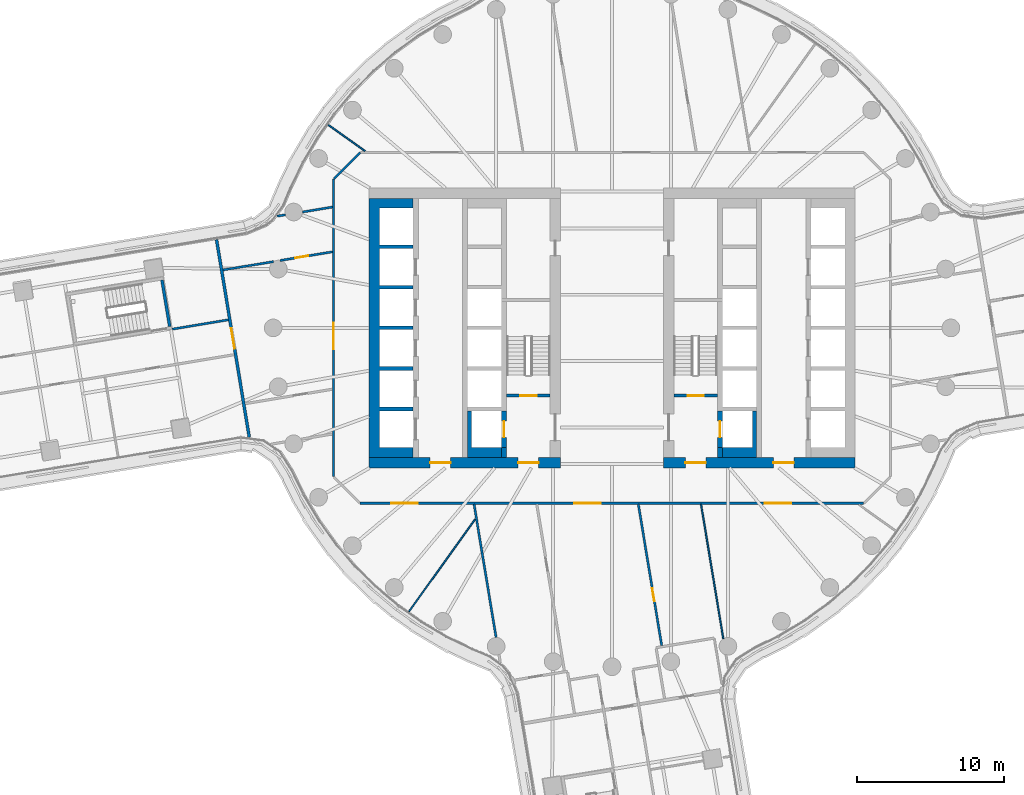
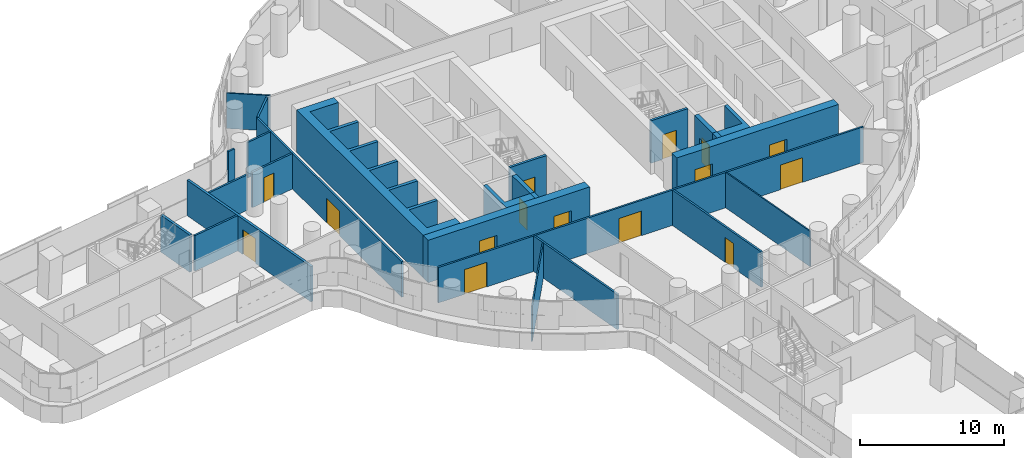
# One storey, part 21 of 32: 26 walls, 15 doors, 15 openings.
"""IFC4 building model written with IfcOpenShell, lengths in metres."""

from ifc_helpers import new_model, si_unit, direction, frame, frame_2d, origin, place, context, subcontext, project, spatial, polyline, rectangle, outline, extrude, material, layer, layer_set, type_object, element, fill, save


model = new_model("IFC4")

# Units and contexts
model_context = context("Model", 3, precision=1e-05, world=origin(), true_north=direction((0.0, 1.0)))
body_context = subcontext(model_context, "Body", "Model", "MODEL_VIEW")
ifc_project = project(units=[si_unit("LENGTHUNIT", "METRE"), si_unit("AREAUNIT", "SQUARE_METRE"), si_unit("VOLUMEUNIT", "CUBIC_METRE"), si_unit("PLANEANGLEUNIT", "RADIAN"), si_unit("MASSUNIT", "GRAM", prefix="KILO")], contexts=[model_context])

# Site, building, storey
site_placement = place(None, origin())
site = spatial("IfcSite", under=ifc_project, at=site_placement, CompositionType="ELEMENT")
building_placement = place(site_placement, origin())
building = spatial("IfcBuilding", under=site, at=building_placement, Name="Tamarind Cross Interchange Tower", CompositionType="ELEMENT")
storey_placement = place(building_placement, frame((0.0, 0.0, 67.75)))
storey = spatial("IfcBuildingStorey", under=building, at=storey_placement, Name="L15", CompositionType="ELEMENT", Elevation=67.75)

# Wall, openings, doors
ifc_material_1 = material(Name="Concrete C80", Category="concrete")
ifc_layer_1 = layer(ifc_material_1, 0.699951171875)
ifc_layer_set_1 = layer_set([ifc_layer_1], Name="Concrete C80")
wall_type_1 = type_object("IfcWallType", Name="Core wall 700 mm Concrete C80", PredefinedType="SHEAR", material=ifc_layer_set_1)
wall_1_placement = place(storey_placement, frame((-16.5, -9.14990234375, 0.0), z_axis=(0.0, 0.0, 1.0), x_axis=(1.0, 0.0, 0.0)))
wall_1 = element("IfcWall", 1, at=wall_1_placement, inside=storey, type_object=wall_type_1, Name="Core wall CWL-L15-W-S", PredefinedType="SHEAR", context=body_context, shape_type="SweptSolid", body=[
    extrude(rectangle(XDim=13.0, YDim=0.699951171875, at=frame_2d((6.5, 0.0))), origin(), (0.0, 0.0, 1.0), 3.610107421875),
])
opening_1_placement = place(wall_1_placement, frame((4.14990234375, 0.0, 0.0)))
opening_1 = element("IfcOpeningElement", 2, at=opening_1_placement, cuts=wall_1, Name="Opening DCW1", PredefinedType="OPENING", context=body_context, shape_type="SweptSolid", body=[
    extrude(rectangle(XDim=1.39990234375, YDim=2.10009765625, at=frame_2d((0.699951171875, 1.050048828125))), frame((0.0, 0.35986328125, 0.0), z_axis=(0.0, -1.0, 0.0), x_axis=(1.0, 0.0, 0.0)), (0.0, 0.0, 1.0), 0.719970703125),
])
opening_2_placement = place(wall_1_placement, frame((10.125, 0.0, 0.0)))
opening_2 = element("IfcOpeningElement", 3, at=opening_2_placement, cuts=wall_1, Name="Opening DCWF", PredefinedType="OPENING", context=body_context, shape_type="SweptSolid", body=[
    extrude(rectangle(XDim=1.39990234375, YDim=2.10009765625, at=frame_2d((0.699951171875, 1.050048828125))), frame((0.0, 0.35986328125, 0.0), z_axis=(0.0, -1.0, 0.0), x_axis=(1.0, 0.0, 0.0)), (0.0, 0.0, 1.0), 0.719970703125),
])
ifc_material_2 = material(Name="Steel, fire-resisting", Category="steel")
door_type_1 = type_object("IfcDoorType", Name="Core fire door 1400 x 2100 FD90", OperationType="SINGLE_SWING_LEFT", PredefinedType="DOOR", material=ifc_material_2)
door_1_placement = place(opening_1_placement, origin())
door_1 = element("IfcDoor", 4, at=door_1_placement, inside=storey, type_object=door_type_1, Name="L15 lift lobby door", OperationType="SINGLE_SWING_LEFT", OverallHeight=2.10009765625, OverallWidth=1.39990234375, PredefinedType="DOOR", context=body_context, shape_type="SweptSolid", body=[
    extrude(rectangle(XDim=1.39990234375, YDim=2.10009765625, at=frame_2d((0.699951171875, 1.050048828125))), frame((0.0, 0.02490234375, 0.0), z_axis=(0.0, -1.0, 0.0), x_axis=(1.0, 0.0, 0.0)), (0.0, 0.0, 1.0), 0.050048828125),
])
fill(opening_1, door_1)
door_2_placement = place(opening_2_placement, origin())
door_2 = element("IfcDoor", 5, at=door_2_placement, inside=storey, type_object=door_type_1, Name="L15 firefighting lobby end door", OperationType="SINGLE_SWING_LEFT", OverallHeight=2.10009765625, OverallWidth=1.39990234375, PredefinedType="DOOR", context=body_context, shape_type="SweptSolid", body=[
    extrude(rectangle(XDim=1.39990234375, YDim=2.10009765625, at=frame_2d((0.699951171875, 1.050048828125))), frame((0.0, 0.02490234375, 0.0), z_axis=(0.0, -1.0, 0.0), x_axis=(1.0, 0.0, 0.0)), (0.0, 0.0, 1.0), 0.050048828125),
])
fill(opening_2, door_2)

# Wall
wall_2_placement = place(storey_placement, origin())
element("IfcWall", 6, at=wall_2_placement, inside=storey, type_object=wall_type_1, Name="Core wall CWL-L15-W-A", PredefinedType="SHEAR", context=body_context, shape_type="SweptSolid", body=[
    extrude(outline(polyline([(-13.5, -8.800048828125), (-13.5, -8.125), (-15.800048828125, -8.125), (-15.800048828125, -5.625), (-13.5, -5.625), (-13.5, -5.375), (-15.800048828125, -5.375), (-15.800048828125, -2.875), (-13.5, -2.875), (-13.5, -2.625), (-15.800048828125, -2.625), (-15.800048828125, -0.125), (-13.5, -0.125), (-13.5, 0.125), (-15.800048828125, 0.125), (-15.800048828125, 2.625), (-13.5, 2.625), (-13.5, 2.875), (-15.800048828125, 2.875), (-15.800048828125, 5.375), (-13.5, 5.375), (-13.5, 5.625), (-15.800048828125, 5.625), (-15.800048828125, 8.125), (-13.5, 8.125), (-13.5, 8.800048828125), (-15.800048828125, 8.800048828125), (-16.5, 8.800048828125), (-16.5, -8.800048828125), (-15.800048828125, -8.800048828125), (-13.5, -8.800048828125)])), origin(), (0.0, 0.0, 1.0), 3.610107421875),
])

# Wall, openings, doors
wall_3_placement = place(storey_placement, frame((16.5, -9.14990234375, 0.0), z_axis=(0.0, 0.0, 1.0), x_axis=(-1.0, 0.0, 0.0)))
wall_3 = element("IfcWall", 7, at=wall_3_placement, inside=storey, type_object=wall_type_1, Name="Core wall CWL-L15-E-S", PredefinedType="SHEAR", context=body_context, shape_type="SweptSolid", body=[
    extrude(rectangle(XDim=13.0, YDim=0.699951171875, at=frame_2d((6.5, 0.0))), origin(), (0.0, 0.0, 1.0), 3.610107421875),
])
opening_3_placement = place(wall_3_placement, frame((4.14990234375, 0.0, 0.0)))
opening_3 = element("IfcOpeningElement", 8, at=opening_3_placement, cuts=wall_3, Name="Opening DCE1", PredefinedType="OPENING", context=body_context, shape_type="SweptSolid", body=[
    extrude(rectangle(XDim=1.39990234375, YDim=2.10009765625, at=frame_2d((0.699951171875, 1.050048828125))), frame((0.0, 0.35986328125, 0.0), z_axis=(0.0, -1.0, 0.0), x_axis=(1.0, 0.0, 0.0)), (0.0, 0.0, 1.0), 0.719970703125),
])
opening_4_placement = place(wall_3_placement, frame((10.125, 0.0, 0.0)))
opening_4 = element("IfcOpeningElement", 9, at=opening_4_placement, cuts=wall_3, Name="Opening DCEF", PredefinedType="OPENING", context=body_context, shape_type="SweptSolid", body=[
    extrude(rectangle(XDim=1.39990234375, YDim=2.10009765625, at=frame_2d((0.699951171875, 1.050048828125))), frame((0.0, 0.35986328125, 0.0), z_axis=(0.0, -1.0, 0.0), x_axis=(1.0, 0.0, 0.0)), (0.0, 0.0, 1.0), 0.719970703125),
])
door_3_placement = place(opening_3_placement, origin())
door_3 = element("IfcDoor", 10, at=door_3_placement, inside=storey, type_object=door_type_1, Name="L15 lift lobby door", OperationType="SINGLE_SWING_LEFT", OverallHeight=2.10009765625, OverallWidth=1.39990234375, PredefinedType="DOOR", context=body_context, shape_type="SweptSolid", body=[
    extrude(rectangle(XDim=1.39990234375, YDim=2.10009765625, at=frame_2d((0.699951171875, 1.050048828125))), frame((0.0, 0.02490234375, 0.0), z_axis=(0.0, -1.0, 0.0), x_axis=(1.0, 0.0, 0.0)), (0.0, 0.0, 1.0), 0.050048828125),
])
fill(opening_3, door_3)
door_4_placement = place(opening_4_placement, origin())
door_4 = element("IfcDoor", 11, at=door_4_placement, inside=storey, type_object=door_type_1, Name="L15 firefighting lobby end door", OperationType="SINGLE_SWING_LEFT", OverallHeight=2.10009765625, OverallWidth=1.39990234375, PredefinedType="DOOR", context=body_context, shape_type="SweptSolid", body=[
    extrude(rectangle(XDim=1.39990234375, YDim=2.10009765625, at=frame_2d((0.699951171875, 1.050048828125))), frame((0.0, 0.02490234375, 0.0), z_axis=(0.0, -1.0, 0.0), x_axis=(1.0, 0.0, 0.0)), (0.0, 0.0, 1.0), 0.050048828125),
])
fill(opening_4, door_4)

# Walls
ifc_layer_2 = layer(ifc_material_1, 0.35009765625)
ifc_layer_set_2 = layer_set([ifc_layer_2], Name="Concrete C80")
wall_type_2 = type_object("IfcWallType", Name="Core web wall 350 mm Concrete C80", PredefinedType="SHEAR", material=ifc_layer_set_2)
wall_4_placement = place(storey_placement, origin())
element("IfcWall", 12, at=wall_4_placement, inside=storey, type_object=wall_type_2, Name="Core wall CWL-L15-W-BS", PredefinedType="SHEAR", context=body_context, shape_type="SweptSolid", body=[
    extrude(outline(polyline([(-7.5, -8.125), (-9.550048828125, -8.125), (-9.550048828125, -5.625), (-9.800048828125, -5.625), (-9.800048828125, -8.125), (-9.800048828125, -8.800048828125), (-7.5, -8.800048828125), (-7.5, -8.125)])), origin(), (0.0, 0.0, 1.0), 3.610107421875),
])
wall_5_placement = place(storey_placement, frame((-7.324951171875, -8.800048828125, 0.0), z_axis=(0.0, 0.0, 1.0), x_axis=(0.0, 1.0, 0.0)))
element("IfcWall", 13, at=wall_5_placement, inside=storey, type_object=wall_type_2, Name="Core wall CWL-L15-W-BW", PredefinedType="SHEAR", context=body_context, shape_type="SweptSolid", body=[
    extrude(rectangle(XDim=0.675048828125, YDim=0.35009765625, at=frame_2d((0.33740234375, 0.0))), origin(), (0.0, 0.0, 1.0), 3.610107421875),
])

# Wall, opening, door
wall_6_placement = place(storey_placement, frame((-7.324951171875, -8.125, 0.0), z_axis=(0.0, 0.0, 1.0), x_axis=(0.0, 1.0, 0.0)))
wall_6 = element("IfcWall", 14, at=wall_6_placement, inside=storey, type_object=wall_type_2, Name="Core wall CWL-L15-W-FF", PredefinedType="SHEAR", context=body_context, shape_type="SweptSolid", body=[
    extrude(rectangle(XDim=2.5, YDim=0.35009765625, at=frame_2d((1.25, 0.0))), origin(), (0.0, 0.0, 1.0), 3.610107421875),
])
opening_5_placement = place(wall_6_placement, frame((0.699951171875, 0.0, 0.0)))
opening_5 = element("IfcOpeningElement", 15, at=opening_5_placement, cuts=wall_6, Name="Opening LD7L15", PredefinedType="OPENING", context=body_context, shape_type="SweptSolid", body=[
    extrude(rectangle(XDim=1.10009765625, YDim=2.10009765625, at=frame_2d((0.550048828125, 1.050048828125))), frame((0.0, 0.18505859375, 0.0), z_axis=(0.0, -1.0, 0.0), x_axis=(1.0, 0.0, 0.0)), (0.0, 0.0, 1.0), 0.3701171875),
])
ifc_material_3 = material(Name="Stainless steel panel", Category="steel")
door_type_2 = type_object("IfcDoorType", Name="Lift landing door 1100 x 2100 E 120", OperationType="SLIDING_TO_LEFT", PredefinedType="DOOR", material=ifc_material_3)
door_5_placement = place(opening_5_placement, origin())
door_5 = element("IfcDoor", 16, at=door_5_placement, inside=storey, type_object=door_type_2, Name="L15 landing door LF7", OperationType="SLIDING_TO_LEFT", OverallHeight=2.10009765625, OverallWidth=1.10009765625, PredefinedType="DOOR", context=body_context, shape_type="SweptSolid", body=[
    extrude(rectangle(XDim=1.10009765625, YDim=2.10009765625, at=frame_2d((0.550048828125, 1.050048828125))), frame((0.0, 0.02490234375, 0.0), z_axis=(0.0, -1.0, 0.0), x_axis=(1.0, 0.0, 0.0)), (0.0, 0.0, 1.0), 0.050048828125),
])
fill(opening_5, door_5)

# Walls
wall_7_placement = place(storey_placement, origin())
element("IfcWall", 17, at=wall_7_placement, inside=storey, type_object=wall_type_2, Name="Core wall CWL-L15-E-BS", PredefinedType="SHEAR", context=body_context, shape_type="SweptSolid", body=[
    extrude(outline(polyline([(7.5, -8.125), (7.5, -8.800048828125), (9.800048828125, -8.800048828125), (9.800048828125, -8.125), (9.800048828125, -5.625), (9.550048828125, -5.625), (9.550048828125, -8.125), (7.5, -8.125)])), origin(), (0.0, 0.0, 1.0), 3.610107421875),
])
wall_8_placement = place(storey_placement, frame((7.324951171875, -8.800048828125, 0.0), z_axis=(0.0, 0.0, 1.0), x_axis=(0.0, 1.0, 0.0)))
element("IfcWall", 18, at=wall_8_placement, inside=storey, type_object=wall_type_2, Name="Core wall CWL-L15-E-BW", PredefinedType="SHEAR", context=body_context, shape_type="SweptSolid", body=[
    extrude(rectangle(XDim=0.675048828125, YDim=0.35009765625, at=frame_2d((0.33740234375, 0.0))), origin(), (0.0, 0.0, 1.0), 3.610107421875),
])

# Wall, opening, door
wall_9_placement = place(storey_placement, frame((7.324951171875, -8.125, 0.0), z_axis=(0.0, 0.0, 1.0), x_axis=(0.0, 1.0, 0.0)))
wall_9 = element("IfcWall", 19, at=wall_9_placement, inside=storey, type_object=wall_type_2, Name="Core wall CWL-L15-E-FF", PredefinedType="SHEAR", context=body_context, shape_type="SweptSolid", body=[
    extrude(rectangle(XDim=2.5, YDim=0.35009765625, at=frame_2d((1.25, 0.0))), origin(), (0.0, 0.0, 1.0), 3.610107421875),
])
opening_6_placement = place(wall_9_placement, frame((0.699951171875, 0.0, 0.0)))
opening_6 = element("IfcOpeningElement", 20, at=opening_6_placement, cuts=wall_9, Name="Opening LD19L15", PredefinedType="OPENING", context=body_context, shape_type="SweptSolid", body=[
    extrude(rectangle(XDim=1.10009765625, YDim=2.10009765625, at=frame_2d((0.550048828125, 1.050048828125))), frame((0.0, 0.18505859375, 0.0), z_axis=(0.0, -1.0, 0.0), x_axis=(1.0, 0.0, 0.0)), (0.0, 0.0, 1.0), 0.3701171875),
])
door_6_placement = place(opening_6_placement, origin())
door_6 = element("IfcDoor", 21, at=door_6_placement, inside=storey, type_object=door_type_2, Name="L15 landing door LF19", OperationType="SLIDING_TO_LEFT", OverallHeight=2.10009765625, OverallWidth=1.10009765625, PredefinedType="DOOR", context=body_context, shape_type="SweptSolid", body=[
    extrude(rectangle(XDim=1.10009765625, YDim=2.10009765625, at=frame_2d((0.550048828125, 1.050048828125))), frame((0.0, 0.02490234375, 0.0), z_axis=(0.0, -1.0, 0.0), x_axis=(1.0, 0.0, 0.0)), (0.0, 0.0, 1.0), 0.050048828125),
])
fill(opening_6, door_6)

# Walls
ifc_material_4 = material(Name="Gypsum board partition on steel studs", Category="steel")
ifc_layer_3 = layer(ifc_material_4, 0.10009765625)
ifc_layer_set_3 = layer_set([ifc_layer_3], Name="Gypsum board partition on steel studs")
wall_type_3 = type_object("IfcWallType", Name="Partition 100 mm EI 120", PredefinedType="PARTITIONING", material=ifc_layer_set_3)
wall_10_placement = place(storey_placement, frame((-19.2509765625, 13.7802734375, 0.0), z_axis=(0.0, 0.0, 1.0), x_axis=(0.813162657911, -0.582036503821, 0.0)))
element("IfcWall", 22, at=wall_10_placement, inside=storey, type_object=wall_type_3, Name="Partition L15-033", PredefinedType="PARTITIONING", context=body_context, shape_type="SweptSolid", body=[
    extrude(rectangle(XDim=3.0654296875, YDim=0.10009765625, at=frame_2d((1.53271484375, 0.0))), origin(), (0.0, 0.0, 1.0), 3.010009765625),
])
ifc_layer_4 = layer(ifc_material_4, 0.10009765625)
ifc_layer_set_4 = layer_set([ifc_layer_4], Name="Gypsum board partition on steel studs")
wall_type_4 = type_object("IfcWallType", Name="Partition 100 mm EI 90", PredefinedType="PARTITIONING", material=ifc_layer_set_4)
wall_11_placement = place(storey_placement, frame((6.04150390625, -11.964111328125, 0.0), z_axis=(0.0, 0.0, 1.0), x_axis=(0.163346366562, -0.986568783477, 0.0)))
element("IfcWall", 23, at=wall_11_placement, inside=storey, type_object=wall_type_4, Name="Partition L15-021", PredefinedType="PARTITIONING", context=body_context, shape_type="SweptSolid", body=[
    extrude(rectangle(XDim=9.253173828125, YDim=0.10009765625, at=frame_2d((4.62646484375, 0.0))), origin(), (0.0, 0.0, 1.0), 3.010009765625),
])
wall_12_placement = place(storey_placement, frame((-13.7802734375, -19.2509765625, 0.0), z_axis=(0.0, 0.0, 1.0), x_axis=(0.582043843028, 0.813157404685, 0.0)))
element("IfcWall", 24, at=wall_12_placement, inside=storey, type_object=wall_type_4, Name="Partition L15-073", PredefinedType="PARTITIONING", context=body_context, shape_type="SweptSolid", body=[
    extrude(rectangle(XDim=7.708251953125, YDim=0.10009765625, at=frame_2d((3.85400390625, 0.0))), origin(), (0.0, 0.0, 1.0), 3.010009765625),
])
ifc_layer_5 = layer(ifc_material_4, 0.14990234375)
ifc_layer_set_5 = layer_set([ifc_layer_5], Name="Gypsum board partition on steel studs")
wall_type_5 = type_object("IfcWallType", Name="Partition 150 mm EI 120", PredefinedType="PARTITIONING", material=ifc_layer_set_5)
wall_13_placement = place(storey_placement, frame((-9.364501953125, -11.968994140625, 0.0), z_axis=(0.0, 0.0, 1.0), x_axis=(0.163235943674, -0.986587059865, 0.0)))
element("IfcWall", 25, at=wall_13_placement, inside=storey, type_object=wall_type_5, Name="Partition L15-004", PredefinedType="PARTITIONING", context=body_context, shape_type="SweptSolid", body=[
    extrude(rectangle(XDim=9.15771484375, YDim=0.14990234375, at=frame_2d((4.578857421875, 0.0))), origin(), (0.0, 0.0, 1.0), 3.010009765625),
])

# Wall, opening, door
wall_14_placement = place(storey_placement, frame((1.785400390625, -11.968994140625, 0.0), z_axis=(0.0, 0.0, 1.0), x_axis=(0.163336319011, -0.986570446999, 0.0)))
wall_14 = element("IfcWall", 26, at=wall_14_placement, inside=storey, type_object=wall_type_5, Name="Partition L15-017", PredefinedType="PARTITIONING", context=body_context, shape_type="SweptSolid", body=[
    extrude(rectangle(XDim=9.724609375, YDim=0.14990234375, at=frame_2d((4.8623046875, 0.0))), origin(), (0.0, 0.0, 1.0), 3.010009765625),
])
opening_7_placement = place(wall_14_placement, frame((5.780029296875, 0.0, 0.0)))
opening_7 = element("IfcOpeningElement", 27, at=opening_7_placement, cuts=wall_14, Name="Opening D13", PredefinedType="OPENING", context=body_context, shape_type="SweptSolid", body=[
    extrude(rectangle(XDim=0.89990234375, YDim=2.10009765625, at=frame_2d((0.449951171875, 1.050048828125))), frame((0.0, 0.0849609375, 0.0), z_axis=(0.0, -1.0, 0.0), x_axis=(1.0, 0.0, 0.0)), (0.0, 0.0, 1.0), 0.169921875),
])
ifc_material_5 = material(Name="Fire-resisting door set")
door_type_3 = type_object("IfcDoorType", Name="Interior door 900 x 2100 FD60S", OperationType="SINGLE_SWING_LEFT", PredefinedType="DOOR", material=ifc_material_5)
door_7_placement = place(opening_7_placement, origin())
door_7 = element("IfcDoor", 28, at=door_7_placement, inside=storey, type_object=door_type_3, Name="Door D13", OperationType="SINGLE_SWING_LEFT", OverallHeight=2.10009765625, OverallWidth=0.89990234375, PredefinedType="DOOR", context=body_context, shape_type="SweptSolid", body=[
    extrude(rectangle(XDim=0.89990234375, YDim=2.10009765625, at=frame_2d((0.449951171875, 1.050048828125))), frame((0.0, 0.02490234375, 0.0), z_axis=(0.0, -1.0, 0.0), x_axis=(1.0, 0.0, 0.0)), (0.0, 0.0, 1.0), 0.050048828125),
])
fill(opening_7, door_7)

# Wall, openings, doors
wall_15_placement = place(storey_placement, frame((-17.10009765625, -11.89990234375, 0.0), z_axis=(0.0, 0.0, 1.0), x_axis=(1.0, 0.0, 0.0)))
wall_15 = element("IfcWall", 29, at=wall_15_placement, inside=storey, type_object=wall_type_5, Name="Partition L15-035", PredefinedType="PARTITIONING", context=body_context, shape_type="SweptSolid", body=[
    extrude(rectangle(XDim=34.1650390625, YDim=0.14990234375, at=frame_2d((17.08251953125, 0.0))), origin(), (0.0, 0.0, 1.0), 3.010009765625),
])
opening_8_placement = place(wall_15_placement, frame((14.531005859375, 0.0, 0.0)))
opening_8 = element("IfcOpeningElement", 30, at=opening_8_placement, cuts=wall_15, Name="Opening D17", PredefinedType="OPENING", context=body_context, shape_type="SweptSolid", body=[
    extrude(rectangle(XDim=1.800048828125, YDim=2.10009765625, at=frame_2d((0.89990234375, 1.050048828125))), frame((0.0, 0.0849609375, 0.0), z_axis=(0.0, -1.0, 0.0), x_axis=(1.0, 0.0, 0.0)), (0.0, 0.0, 1.0), 0.169921875),
])
opening_9_placement = place(wall_15_placement, frame((2.10009765625, 0.0, 0.0)))
opening_9 = element("IfcOpeningElement", 31, at=opening_9_placement, cuts=wall_15, Name="Opening D18", PredefinedType="OPENING", context=body_context, shape_type="SweptSolid", body=[
    extrude(rectangle(XDim=1.800048828125, YDim=2.10009765625, at=frame_2d((0.89990234375, 1.050048828125))), frame((0.0, 0.0849609375, 0.0), z_axis=(0.0, -1.0, 0.0), x_axis=(1.0, 0.0, 0.0)), (0.0, 0.0, 1.0), 0.169921875),
])
opening_10_placement = place(wall_15_placement, frame((27.48095703125, 0.0, 0.0)))
opening_10 = element("IfcOpeningElement", 32, at=opening_10_placement, cuts=wall_15, Name="Opening D19", PredefinedType="OPENING", context=body_context, shape_type="SweptSolid", body=[
    extrude(rectangle(XDim=1.800048828125, YDim=2.10009765625, at=frame_2d((0.89990234375, 1.050048828125))), frame((0.0, 0.0849609375, 0.0), z_axis=(0.0, -1.0, 0.0), x_axis=(1.0, 0.0, 0.0)), (0.0, 0.0, 1.0), 0.169921875),
])
door_type_4 = type_object("IfcDoorType", Name="Interior door 1800 x 2100 FD60S", OperationType="DOUBLE_DOOR_SINGLE_SWING", PredefinedType="DOOR", material=ifc_material_5)
door_8_placement = place(opening_8_placement, origin())
door_8 = element("IfcDoor", 33, at=door_8_placement, inside=storey, type_object=door_type_4, Name="Door D17", OperationType="DOUBLE_DOOR_SINGLE_SWING", OverallHeight=2.10009765625, OverallWidth=1.800048828125, PredefinedType="DOOR", context=body_context, shape_type="SweptSolid", body=[
    extrude(rectangle(XDim=1.800048828125, YDim=2.10009765625, at=frame_2d((0.89990234375, 1.050048828125))), frame((0.0, 0.02490234375, 0.0), z_axis=(0.0, -1.0, 0.0), x_axis=(1.0, 0.0, 0.0)), (0.0, 0.0, 1.0), 0.050048828125),
])
fill(opening_8, door_8)
door_9_placement = place(opening_9_placement, frame((1.800048828125, 0.0, 0.0), z_axis=(0.0, 0.0, 1.0), x_axis=(-1.0, 0.0, 0.0)))
door_9 = element("IfcDoor", 34, at=door_9_placement, inside=storey, type_object=door_type_4, Name="Door D18", OperationType="DOUBLE_DOOR_SINGLE_SWING", OverallHeight=2.10009765625, OverallWidth=1.800048828125, PredefinedType="DOOR", context=body_context, shape_type="SweptSolid", body=[
    extrude(rectangle(XDim=1.800048828125, YDim=2.10009765625, at=frame_2d((0.89990234375, 1.050048828125))), frame((0.0, 0.02490234375, 0.0), z_axis=(0.0, -1.0, 0.0), x_axis=(1.0, 0.0, 0.0)), (0.0, 0.0, 1.0), 0.050048828125),
])
fill(opening_9, door_9)
door_10_placement = place(opening_10_placement, frame((1.800048828125, 0.0, 0.0), z_axis=(0.0, 0.0, 1.0), x_axis=(-1.0, 0.0, 0.0)))
door_10 = element("IfcDoor", 35, at=door_10_placement, inside=storey, type_object=door_type_4, Name="Door D19", OperationType="DOUBLE_DOOR_SINGLE_SWING", OverallHeight=2.10009765625, OverallWidth=1.800048828125, PredefinedType="DOOR", context=body_context, shape_type="SweptSolid", body=[
    extrude(rectangle(XDim=1.800048828125, YDim=2.10009765625, at=frame_2d((0.89990234375, 1.050048828125))), frame((0.0, 0.02490234375, 0.0), z_axis=(0.0, -1.0, 0.0), x_axis=(1.0, 0.0, 0.0)), (0.0, 0.0, 1.0), 0.050048828125),
])
fill(opening_10, door_10)

# Walls
wall_16_placement = place(storey_placement, frame((-29.85107421875, -0.083984375, 0.0), z_axis=(0.0, 0.0, 1.0), x_axis=(0.986559268982, 0.163403821211, 0.0)))
element("IfcWall", 36, at=wall_16_placement, inside=storey, type_object=wall_type_5, Name="Partition L15-038", PredefinedType="PARTITIONING", context=body_context, shape_type="SweptSolid", body=[
    extrude(rectangle(XDim=3.859130859375, YDim=0.14990234375, at=frame_2d((1.9296875, 0.0))), origin(), (0.0, 0.0, 1.0), 3.010009765625),
])
wall_17_placement = place(storey_placement, frame((-26.4013671875, 3.933349609375, 0.0), z_axis=(0.0, 0.0, 1.0), x_axis=(0.986558825421, 0.163406499212, 0.0)))
element("IfcWall", 37, at=wall_17_placement, inside=storey, type_object=wall_type_5, Name="Partition L15-040", PredefinedType="PARTITIONING", context=body_context, shape_type="SweptSolid", body=[
    extrude(rectangle(XDim=3.470703125, YDim=0.14990234375, at=frame_2d((1.7353515625, 0.0))), origin(), (0.0, 0.0, 1.0), 3.010009765625),
])

# Wall, opening, door
wall_18_placement = place(storey_placement, frame((-22.537109375, 4.573486328125, 0.0), z_axis=(0.0, 0.0, 1.0), x_axis=(0.986555814716, 0.163424675158, 0.0)))
wall_18 = element("IfcWall", 38, at=wall_18_placement, inside=storey, type_object=wall_type_5, Name="Partition L15-041", PredefinedType="PARTITIONING", context=body_context, shape_type="SweptSolid", body=[
    extrude(rectangle(XDim=3.61669921875, YDim=0.14990234375, at=frame_2d((1.808349609375, 0.0))), origin(), (0.0, 0.0, 1.0), 3.010009765625),
])
opening_11_placement = place(wall_18_placement, frame((1.050048828125, 0.0, 0.0)))
opening_11 = element("IfcOpeningElement", 39, at=opening_11_placement, cuts=wall_18, Name="Opening D26", PredefinedType="OPENING", context=body_context, shape_type="SweptSolid", body=[
    extrude(rectangle(XDim=0.89990234375, YDim=2.10009765625, at=frame_2d((0.449951171875, 1.050048828125))), frame((0.0, 0.0849609375, 0.0), z_axis=(0.0, -1.0, 0.0), x_axis=(1.0, 0.0, 0.0)), (0.0, 0.0, 1.0), 0.169921875),
])
door_11_placement = place(opening_11_placement, origin())
door_11 = element("IfcDoor", 40, at=door_11_placement, inside=storey, type_object=door_type_3, Name="Door D26", OperationType="SINGLE_SWING_RIGHT", OverallHeight=2.10009765625, OverallWidth=0.89990234375, PredefinedType="DOOR", context=body_context, shape_type="SweptSolid", body=[
    extrude(rectangle(XDim=0.89990234375, YDim=2.10009765625, at=frame_2d((0.449951171875, 1.050048828125))), frame((0.0, 0.02490234375, 0.0), z_axis=(0.0, -1.0, 0.0), x_axis=(1.0, 0.0, 0.0)), (0.0, 0.0, 1.0), 0.050048828125),
])
fill(opening_11, door_11)

# Walls
wall_19_placement = place(storey_placement, frame((-22.725341796875, 7.5830078125, 0.0), z_axis=(0.0, 0.0, 1.0), x_axis=(0.986534635248, 0.163552479212, 0.0)))
element("IfcWall", 41, at=wall_19_placement, inside=storey, type_object=wall_type_5, Name="Partition L15-045", PredefinedType="PARTITIONING", context=body_context, shape_type="SweptSolid", body=[
    extrude(rectangle(XDim=0.561279296875, YDim=0.14990234375, at=frame_2d((0.28076171875, 0.0))), origin(), (0.0, 0.0, 1.0), 3.010009765625),
])
wall_20_placement = place(storey_placement, frame((-21.00341796875, 7.868408203125, 0.0), z_axis=(0.0, 0.0, 1.0), x_axis=(0.986543898424, 0.163496594711, 0.0)))
element("IfcWall", 42, at=wall_20_placement, inside=storey, type_object=wall_type_5, Name="Partition L15-046", PredefinedType="PARTITIONING", context=body_context, shape_type="SweptSolid", body=[
    extrude(rectangle(XDim=2.062255859375, YDim=0.14990234375, at=frame_2d((1.03125, 0.0))), origin(), (0.0, 0.0, 1.0), 3.010009765625),
])
wall_21_placement = place(storey_placement, frame((-18.87158203125, 10.12841796875, 0.0), z_axis=(0.0, 0.0, 1.0), x_axis=(0.707106781187, 0.707106781187, 0.0)))
element("IfcWall", 43, at=wall_21_placement, inside=storey, type_object=wall_type_5, Name="Partition L15-071", PredefinedType="PARTITIONING", context=body_context, shape_type="SweptSolid", body=[
    extrude(rectangle(XDim=2.50537109375, YDim=0.14990234375, at=frame_2d((1.252685546875, 0.0))), origin(), (0.0, 0.0, 1.0), 3.010009765625),
])

# Wall, opening, door
wall_22_placement = place(storey_placement, frame((-18.89990234375, -10.10009765625, 0.0), z_axis=(0.0, 0.0, 1.0), x_axis=(0.0, 1.0, 0.0)))
wall_22 = element("IfcWall", 44, at=wall_22_placement, inside=storey, type_object=wall_type_5, Name="Partition L15-075", PredefinedType="PARTITIONING", context=body_context, shape_type="SweptSolid", body=[
    extrude(rectangle(XDim=20.2001953125, YDim=0.14990234375, at=frame_2d((10.10009765625, 0.0))), origin(), (0.0, 0.0, 1.0), 3.010009765625),
])
opening_12_placement = place(wall_22_placement, frame((8.65087890625, 0.0, 0.0)))
opening_12 = element("IfcOpeningElement", 45, at=opening_12_placement, cuts=wall_22, Name="Opening D39", PredefinedType="OPENING", context=body_context, shape_type="SweptSolid", body=[
    extrude(rectangle(XDim=1.800048828125, YDim=2.10009765625, at=frame_2d((0.89990234375, 1.050048828125))), frame((0.0, 0.0849609375, 0.0), z_axis=(0.0, -1.0, 0.0), x_axis=(1.0, 0.0, 0.0)), (0.0, 0.0, 1.0), 0.169921875),
])
door_12_placement = place(opening_12_placement, frame((1.800048828125, 0.0, 0.0), z_axis=(0.0, 0.0, 1.0), x_axis=(-1.0, 0.0, 0.0)))
door_12 = element("IfcDoor", 46, at=door_12_placement, inside=storey, type_object=door_type_4, Name="Door D39", OperationType="DOUBLE_DOOR_SINGLE_SWING", OverallHeight=2.10009765625, OverallWidth=1.800048828125, PredefinedType="DOOR", context=body_context, shape_type="SweptSolid", body=[
    extrude(rectangle(XDim=1.800048828125, YDim=2.10009765625, at=frame_2d((0.89990234375, 1.050048828125))), frame((0.0, 0.02490234375, 0.0), z_axis=(0.0, -1.0, 0.0), x_axis=(1.0, 0.0, 0.0)), (0.0, 0.0, 1.0), 0.050048828125),
])
fill(opening_12, door_12)

ifc_layer_6 = layer(ifc_material_4, 0.199951171875)
ifc_layer_set_6 = layer_set([ifc_layer_6], Name="Gypsum board partition on steel studs")
wall_type_6 = type_object("IfcWallType", Name="Partition 200 mm EI 180", PredefinedType="PARTITIONING", material=ifc_layer_set_6)
wall_23_placement = place(storey_placement, frame((-26.84375, 5.988037109375, 0.0), z_axis=(0.0, 0.0, 1.0), x_axis=(0.163449587901, -0.986551687554, 0.0)))
wall_23 = element("IfcWall", 47, at=wall_23_placement, inside=storey, type_object=wall_type_6, Name="Partition L15-003", PredefinedType="PARTITIONING", context=body_context, shape_type="SweptSolid", body=[
    extrude(rectangle(XDim=13.595458984375, YDim=0.199951171875, at=frame_2d((6.7978515625, 0.0))), origin(), (0.0, 0.0, 1.0), 3.010009765625),
])
opening_13_placement = place(wall_23_placement, frame((6.09912109375, 0.0, 0.0)))
opening_13 = element("IfcOpeningElement", 48, at=opening_13_placement, cuts=wall_23, Name="Opening D02", PredefinedType="OPENING", context=body_context, shape_type="SweptSolid", body=[
    extrude(rectangle(XDim=1.39990234375, YDim=2.10009765625, at=frame_2d((0.699951171875, 1.050048828125))), frame((0.0, 0.10986328125, 0.0), z_axis=(0.0, -1.0, 0.0), x_axis=(1.0, 0.0, 0.0)), (0.0, 0.0, 1.0), 0.219970703125),
])
door_type_5 = type_object("IfcDoorType", Name="Interior door 1400 x 2100 FD120S", OperationType="DOUBLE_DOOR_SINGLE_SWING", PredefinedType="DOOR", material=ifc_material_5)
door_13_placement = place(opening_13_placement, origin())
door_13 = element("IfcDoor", 49, at=door_13_placement, inside=storey, type_object=door_type_5, Name="Door D02", OperationType="DOUBLE_DOOR_SINGLE_SWING", OverallHeight=2.10009765625, OverallWidth=1.39990234375, PredefinedType="DOOR", context=body_context, shape_type="SweptSolid", body=[
    extrude(rectangle(XDim=1.39990234375, YDim=2.10009765625, at=frame_2d((0.699951171875, 1.050048828125))), frame((0.0, 0.02490234375, 0.0), z_axis=(0.0, -1.0, 0.0), x_axis=(1.0, 0.0, 0.0)), (0.0, 0.0, 1.0), 0.050048828125),
])
fill(opening_13, door_13)

ifc_material_6 = material(Name="Concrete C40", Category="concrete")
ifc_layer_7 = layer(ifc_material_6, 0.199951171875)
ifc_layer_set_7 = layer_set([ifc_layer_7], Name="Concrete C40")
wall_type_7 = type_object("IfcWallType", Name="Stair shaft wall 200 mm Concrete C40", PredefinedType="SHEAR", material=ifc_layer_set_7)
wall_24_placement = place(storey_placement, frame((-7.14990234375, -4.60009765625, 0.0), z_axis=(0.0, 0.0, 1.0), x_axis=(1.0, 0.0, 0.0)))
wall_24 = element("IfcWall", 50, at=wall_24_placement, inside=storey, type_object=wall_type_7, Name="Core wall CWL-L15-W-SD", PredefinedType="SHEAR", context=body_context, shape_type="SweptSolid", body=[
    extrude(rectangle(XDim=2.949951171875, YDim=0.199951171875, at=frame_2d((1.47509765625, 0.0))), origin(), (0.0, 0.0, 1.0), 3.610107421875),
])
opening_14_placement = place(wall_24_placement, frame((0.925048828125, 0.0, 0.0)))
opening_14 = element("IfcOpeningElement", 51, at=opening_14_placement, cuts=wall_24, Name="Opening DCW6", PredefinedType="OPENING", context=body_context, shape_type="SweptSolid", body=[
    extrude(rectangle(XDim=1.10009765625, YDim=2.10009765625, at=frame_2d((0.550048828125, 1.050048828125))), frame((0.0, 0.10986328125, 0.0), z_axis=(0.0, -1.0, 0.0), x_axis=(1.0, 0.0, 0.0)), (0.0, 0.0, 1.0), 0.219970703125),
])
door_type_6 = type_object("IfcDoorType", Name="Core fire door 1100 x 2100 FD90", OperationType="SINGLE_SWING_LEFT", PredefinedType="DOOR", material=ifc_material_2)
door_14_placement = place(opening_14_placement, origin())
door_14 = element("IfcDoor", 52, at=door_14_placement, inside=storey, type_object=door_type_6, Name="L15 stair door", OperationType="SINGLE_SWING_LEFT", OverallHeight=2.10009765625, OverallWidth=1.10009765625, PredefinedType="DOOR", context=body_context, shape_type="SweptSolid", body=[
    extrude(rectangle(XDim=1.10009765625, YDim=2.10009765625, at=frame_2d((0.550048828125, 1.050048828125))), frame((0.0, 0.02490234375, 0.0), z_axis=(0.0, -1.0, 0.0), x_axis=(1.0, 0.0, 0.0)), (0.0, 0.0, 1.0), 0.050048828125),
])
fill(opening_14, door_14)

wall_25_placement = place(storey_placement, frame((7.14990234375, -4.60009765625, 0.0), z_axis=(0.0, 0.0, 1.0), x_axis=(-1.0, 0.0, 0.0)))
wall_25 = element("IfcWall", 53, at=wall_25_placement, inside=storey, type_object=wall_type_7, Name="Core wall CWL-L15-E-SD", PredefinedType="SHEAR", context=body_context, shape_type="SweptSolid", body=[
    extrude(rectangle(XDim=2.949951171875, YDim=0.199951171875, at=frame_2d((1.47509765625, 0.0))), origin(), (0.0, 0.0, 1.0), 3.610107421875),
])
opening_15_placement = place(wall_25_placement, frame((0.925048828125, 0.0, 0.0)))
opening_15 = element("IfcOpeningElement", 54, at=opening_15_placement, cuts=wall_25, Name="Opening DCE6", PredefinedType="OPENING", context=body_context, shape_type="SweptSolid", body=[
    extrude(rectangle(XDim=1.10009765625, YDim=2.10009765625, at=frame_2d((0.550048828125, 1.050048828125))), frame((0.0, 0.10986328125, 0.0), z_axis=(0.0, -1.0, 0.0), x_axis=(1.0, 0.0, 0.0)), (0.0, 0.0, 1.0), 0.219970703125),
])
door_15_placement = place(opening_15_placement, origin())
door_15 = element("IfcDoor", 55, at=door_15_placement, inside=storey, type_object=door_type_6, Name="L15 stair door", OperationType="SINGLE_SWING_LEFT", OverallHeight=2.10009765625, OverallWidth=1.10009765625, PredefinedType="DOOR", context=body_context, shape_type="SweptSolid", body=[
    extrude(rectangle(XDim=1.10009765625, YDim=2.10009765625, at=frame_2d((0.550048828125, 1.050048828125))), frame((0.0, 0.02490234375, 0.0), z_axis=(0.0, -1.0, 0.0), x_axis=(1.0, 0.0, 0.0)), (0.0, 0.0, 1.0), 0.050048828125),
])
fill(opening_15, door_15)

# Wall
wall_26_placement = place(storey_placement, frame((-30.54541015625, 3.24755859375, -0.139892578125), z_axis=(0.0, 0.0, 1.0), x_axis=(0.163347262232, -0.98656863518, 0.0)))
element("IfcWall", 56, at=wall_26_placement, inside=storey, type_object=wall_type_7, Name="Core wall CWL-L15-ST5-CE", PredefinedType="SHEAR", context=body_context, shape_type="SweptSolid", body=[
    extrude(rectangle(XDim=3.199951171875, YDim=0.199951171875, at=frame_2d((1.60009765625, 0.0))), origin(), (0.0, 0.0, 1.0), 3.14990234375),
])

save(model, "model.ifc")
